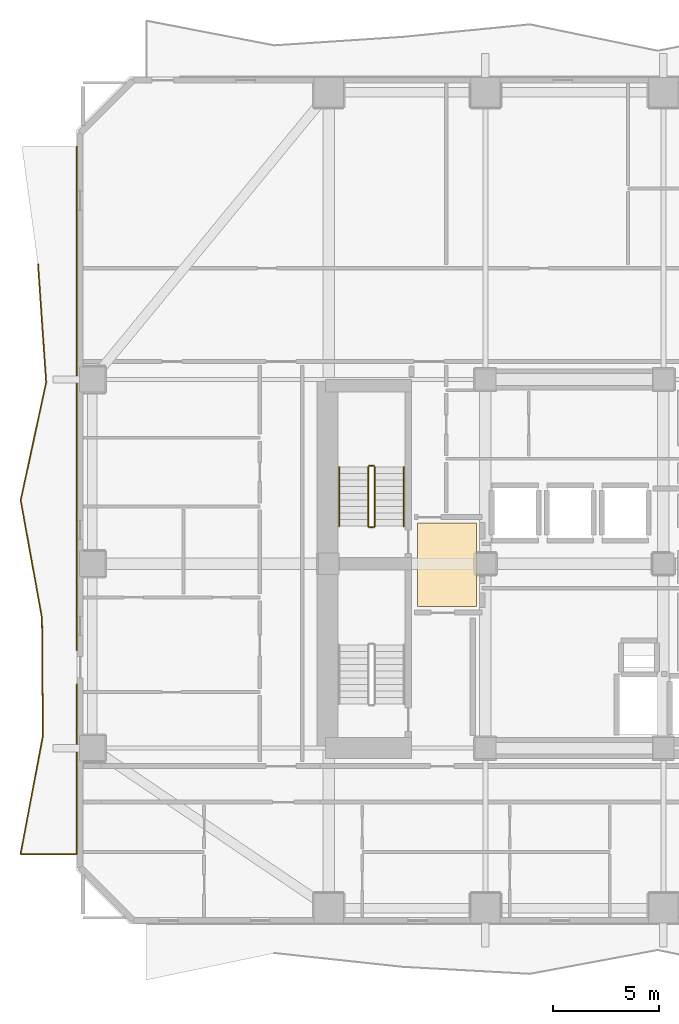
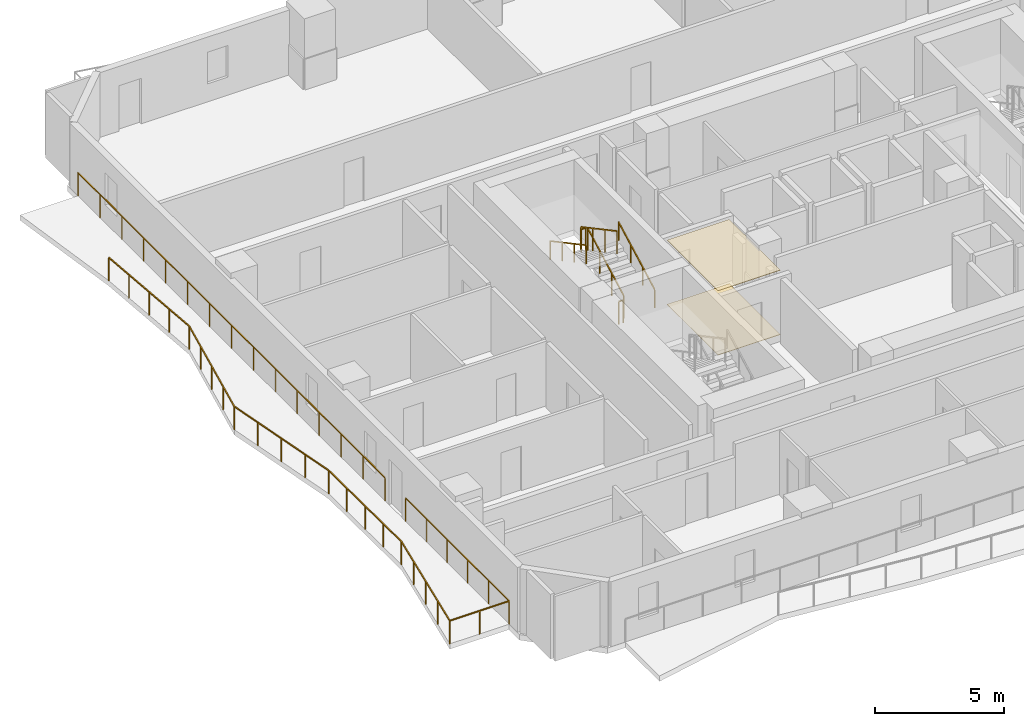
# One storey, part 8 of 10: 8 railings, 2 coverings.
"""IFC4 building model written with IfcOpenShell, lengths in metres."""

from ifc_helpers import new_model, si_unit, direction, frame, origin, origin_2d, place, context, subcontext, project, spatial, polyline, rectangle, outline, extrude, material, layer, layer_set, type_object, element, save


model = new_model("IFC4")

# Units and contexts
model_context = context("Model", 3, precision=1e-05, world=origin(), true_north=direction((0.0, 1.0)))
body_context = subcontext(model_context, "Body", "Model", "MODEL_VIEW")
ifc_project = project(units=[si_unit("LENGTHUNIT", "METRE"), si_unit("AREAUNIT", "SQUARE_METRE"), si_unit("VOLUMEUNIT", "CUBIC_METRE"), si_unit("PLANEANGLEUNIT", "RADIAN"), si_unit("MASSUNIT", "GRAM", prefix="KILO")], contexts=[model_context])

# Site, building, storey
site_placement = place(None, origin())
site = spatial("IfcSite", under=ifc_project, at=site_placement, CompositionType="ELEMENT")
building_placement = place(site_placement, origin())
building = spatial("IfcBuilding", under=site, at=building_placement, Name="Solanera Arch Residences", CompositionType="ELEMENT")
storey_placement = place(building_placement, frame((0.0, 0.0, 99.43994140625)))
storey = spatial("IfcBuildingStorey", under=building, at=storey_placement, Name="L28", CompositionType="ELEMENT", Elevation=99.43994140625)

# Railings
ifc_material_1 = material(Name="Steel S355 (ASTM A992 / A572 Grade 50)", Category="steel")
railing_type_1 = type_object("IfcRailingType", Name="Balustrade Railing BL-1100", PredefinedType="BALUSTRADE", material=ifc_material_1)
railing_1_placement = place(storey_placement, frame((-0.320068359375, 44.8330078125, 0.0)))
element("IfcRailing", 1, at=railing_1_placement, inside=storey, type_object=railing_type_1, Name="L28 W Balcony Balustrade 1", PredefinedType="BALUSTRADE", context=body_context, shape_type="SweptSolid", body=[
    extrude(rectangle(XDim=0.048095703125, YDim=0.048095703125, at=origin_2d()), frame((0.0, 0.0, 1.09619140625), z_axis=(0.068485199899, -0.997652132456, 0.0), x_axis=(0.997652132456, 0.068485199899, 0.0)), (0.0, 0.0, 1.0), 5.5791015625),
    extrude(rectangle(XDim=0.048095703125, YDim=0.048095703125, at=origin_2d()), frame((0.382080078125, -5.56591796875, 1.09619140625), z_axis=(-0.211030624616, -0.977479450154, 0.0), x_axis=(0.977479450154, -0.211030624616, 0.0)), (0.0, 0.0, 1.0), 5.6953125),
    extrude(rectangle(XDim=0.048095703125, YDim=0.048095703125, at=origin_2d()), frame((-0.81982421875, -11.133056640625, 1.09619140625), z_axis=(0.177806751501, -0.984065424207, 0.0), x_axis=(0.984065424207, 0.177806751501, 0.0)), (0.0, 0.0, 1.0), 5.656982421875),
    extrude(rectangle(XDim=0.048095703125, YDim=0.048095703125, at=origin_2d()), frame((0.18603515625, -16.699951171875, 1.09619140625), z_axis=(0.007368544196, -0.99997285191, 0.0), x_axis=(0.99997285191, 0.007368544196, 0.0)), (0.0, 0.0, 1.0), 5.56640625),
    extrude(rectangle(XDim=0.048095703125, YDim=0.048095703125, at=origin_2d()), frame((0.22705078125, -22.26611328125, 1.09619140625), z_axis=(-0.185854562907, -0.982577264874, 0.0), x_axis=(0.982577264874, -0.185854562907, 0.0)), (0.0, 0.0, 1.0), 5.66552734375),
    extrude(rectangle(XDim=0.048095703125, YDim=0.048095703125, at=origin_2d()), frame((-0.825927734375, -27.8330078125, 1.09619140625), z_axis=(1.0, 0.0, 0.0), x_axis=(0.0, 1.0, 0.0)), (0.0, 0.0, 1.0), 2.666015625),
    extrude(rectangle(XDim=0.048095703125, YDim=0.048095703125, at=origin_2d()), frame((1.840087890625, -27.8330078125, 1.09619140625), z_axis=(0.0, 1.0, 0.0), x_axis=(-1.0, 0.0, 0.0)), (0.0, 0.0, 1.0), 8.02001953125),
    extrude(rectangle(XDim=0.0419921875, YDim=0.0419921875, at=origin_2d()), origin(), (0.0, 0.0, 1.0), 1.072021484375),
    extrude(rectangle(XDim=0.0419921875, YDim=0.0419921875, at=origin_2d()), frame((0.095458984375, -1.3916015625, 0.0)), (0.0, 0.0, 1.0), 1.072021484375),
    extrude(rectangle(XDim=0.0419921875, YDim=0.0419921875, at=origin_2d()), frame((0.19091796875, -2.782958984375, 0.0)), (0.0, 0.0, 1.0), 1.072021484375),
    extrude(rectangle(XDim=0.0419921875, YDim=0.0419921875, at=origin_2d()), frame((0.28662109375, -4.17431640625, 0.0)), (0.0, 0.0, 1.0), 1.072021484375),
    extrude(rectangle(XDim=0.0419921875, YDim=0.0419921875, at=origin_2d()), frame((0.382080078125, -5.56591796875, 0.0)), (0.0, 0.0, 1.0), 1.072021484375),
    extrude(rectangle(XDim=0.0419921875, YDim=0.0419921875, at=origin_2d()), frame((0.08154296875, -6.957763671875, 0.0)), (0.0, 0.0, 1.0), 1.072021484375),
    extrude(rectangle(XDim=0.0419921875, YDim=0.0419921875, at=origin_2d()), frame((-0.21875, -8.349609375, 0.0)), (0.0, 0.0, 1.0), 1.072021484375),
    extrude(rectangle(XDim=0.0419921875, YDim=0.0419921875, at=origin_2d()), frame((-0.519287109375, -9.7412109375, 0.0)), (0.0, 0.0, 1.0), 1.072021484375),
    extrude(rectangle(XDim=0.0419921875, YDim=0.0419921875, at=origin_2d()), frame((-0.81982421875, -11.133056640625, 0.0)), (0.0, 0.0, 1.0), 1.072021484375),
    extrude(rectangle(XDim=0.0419921875, YDim=0.0419921875, at=origin_2d()), frame((-0.568359375, -12.52490234375, 0.0)), (0.0, 0.0, 1.0), 1.072021484375),
    extrude(rectangle(XDim=0.0419921875, YDim=0.0419921875, at=origin_2d()), frame((-0.31689453125, -13.91650390625, 0.0)), (0.0, 0.0, 1.0), 1.072021484375),
    extrude(rectangle(XDim=0.0419921875, YDim=0.0419921875, at=origin_2d()), frame((-0.0654296875, -15.30810546875, 0.0)), (0.0, 0.0, 1.0), 1.072021484375),
    extrude(rectangle(XDim=0.0419921875, YDim=0.0419921875, at=origin_2d()), frame((0.18603515625, -16.699951171875, 0.0)), (0.0, 0.0, 1.0), 1.072021484375),
    extrude(rectangle(XDim=0.0419921875, YDim=0.0419921875, at=origin_2d()), frame((0.1962890625, -18.091552734375, 0.0)), (0.0, 0.0, 1.0), 1.072021484375),
    extrude(rectangle(XDim=0.0419921875, YDim=0.0419921875, at=origin_2d()), frame((0.20654296875, -19.48291015625, 0.0)), (0.0, 0.0, 1.0), 1.072021484375),
    extrude(rectangle(XDim=0.0419921875, YDim=0.0419921875, at=origin_2d()), frame((0.216796875, -20.87451171875, 0.0)), (0.0, 0.0, 1.0), 1.072021484375),
    extrude(rectangle(XDim=0.0419921875, YDim=0.0419921875, at=origin_2d()), frame((0.22705078125, -22.26611328125, 0.0)), (0.0, 0.0, 1.0), 1.072021484375),
    extrude(rectangle(XDim=0.0419921875, YDim=0.0419921875, at=origin_2d()), frame((-0.0361328125, -23.65771484375, 0.0)), (0.0, 0.0, 1.0), 1.072021484375),
    extrude(rectangle(XDim=0.0419921875, YDim=0.0419921875, at=origin_2d()), frame((-0.29931640625, -25.049560546875, 0.0)), (0.0, 0.0, 1.0), 1.072021484375),
    extrude(rectangle(XDim=0.0419921875, YDim=0.0419921875, at=origin_2d()), frame((-0.562744140625, -26.44140625, 0.0)), (0.0, 0.0, 1.0), 1.072021484375),
    extrude(rectangle(XDim=0.0419921875, YDim=0.0419921875, at=origin_2d()), frame((-0.825927734375, -27.8330078125, 0.0)), (0.0, 0.0, 1.0), 1.072021484375),
    extrude(rectangle(XDim=0.0419921875, YDim=0.0419921875, at=origin_2d()), frame((0.507080078125, -27.8330078125, 0.0)), (0.0, 0.0, 1.0), 1.072021484375),
    extrude(rectangle(XDim=0.0419921875, YDim=0.0419921875, at=origin_2d()), frame((1.840087890625, -27.8330078125, 0.0)), (0.0, 0.0, 1.0), 1.072021484375),
    extrude(rectangle(XDim=0.0419921875, YDim=0.0419921875, at=origin_2d()), frame((1.840087890625, -26.22900390625, 0.0)), (0.0, 0.0, 1.0), 1.072021484375),
    extrude(rectangle(XDim=0.0419921875, YDim=0.0419921875, at=origin_2d()), frame((1.840087890625, -24.625, 0.0)), (0.0, 0.0, 1.0), 1.072021484375),
    extrude(rectangle(XDim=0.0419921875, YDim=0.0419921875, at=origin_2d()), frame((1.840087890625, -23.02099609375, 0.0)), (0.0, 0.0, 1.0), 1.072021484375),
    extrude(rectangle(XDim=0.0419921875, YDim=0.0419921875, at=origin_2d()), frame((1.840087890625, -21.4169921875, 0.0)), (0.0, 0.0, 1.0), 1.072021484375),
    extrude(rectangle(XDim=0.0419921875, YDim=0.0419921875, at=origin_2d()), frame((1.840087890625, -19.81298828125, 0.0)), (0.0, 0.0, 1.0), 1.072021484375),
])
railing_2_placement = place(storey_placement, frame((1.52001953125, 26.6201171875, 0.0)))
element("IfcRailing", 2, at=railing_2_placement, inside=storey, type_object=railing_type_1, Name="L28 W Balcony Balustrade 2", PredefinedType="BALUSTRADE", context=body_context, shape_type="SweptSolid", body=[
    extrude(rectangle(XDim=0.048095703125, YDim=0.048095703125, at=origin_2d()), frame((0.0, 0.0, 1.09619140625), z_axis=(0.0, 1.0, 0.0), x_axis=(-1.0, 0.0, 0.0)), (0.0, 0.0, 1.0), 23.77978515625),
    extrude(rectangle(XDim=0.0419921875, YDim=0.0419921875, at=origin_2d()), origin(), (0.0, 0.0, 1.0), 1.072021484375),
    extrude(rectangle(XDim=0.0419921875, YDim=0.0419921875, at=origin_2d()), frame((0.0, 1.698486328125, 0.0)), (0.0, 0.0, 1.0), 1.072021484375),
    extrude(rectangle(XDim=0.0419921875, YDim=0.0419921875, at=origin_2d()), frame((0.0, 3.397216796875, 0.0)), (0.0, 0.0, 1.0), 1.072021484375),
    extrude(rectangle(XDim=0.0419921875, YDim=0.0419921875, at=origin_2d()), frame((0.0, 5.095703125, 0.0)), (0.0, 0.0, 1.0), 1.072021484375),
    extrude(rectangle(XDim=0.0419921875, YDim=0.0419921875, at=origin_2d()), frame((0.0, 6.794189453125, 0.0)), (0.0, 0.0, 1.0), 1.072021484375),
    extrude(rectangle(XDim=0.0419921875, YDim=0.0419921875, at=origin_2d()), frame((0.0, 8.49267578125, 0.0)), (0.0, 0.0, 1.0), 1.072021484375),
    extrude(rectangle(XDim=0.0419921875, YDim=0.0419921875, at=origin_2d()), frame((0.0, 10.19140625, 0.0)), (0.0, 0.0, 1.0), 1.072021484375),
    extrude(rectangle(XDim=0.0419921875, YDim=0.0419921875, at=origin_2d()), frame((0.0, 11.889892578125, 0.0)), (0.0, 0.0, 1.0), 1.072021484375),
    extrude(rectangle(XDim=0.0419921875, YDim=0.0419921875, at=origin_2d()), frame((0.0, 13.58837890625, 0.0)), (0.0, 0.0, 1.0), 1.072021484375),
    extrude(rectangle(XDim=0.0419921875, YDim=0.0419921875, at=origin_2d()), frame((0.0, 15.287109375, 0.0)), (0.0, 0.0, 1.0), 1.072021484375),
    extrude(rectangle(XDim=0.0419921875, YDim=0.0419921875, at=origin_2d()), frame((0.0, 16.985595703125, 0.0)), (0.0, 0.0, 1.0), 1.072021484375),
    extrude(rectangle(XDim=0.0419921875, YDim=0.0419921875, at=origin_2d()), frame((0.0, 18.68408203125, 0.0)), (0.0, 0.0, 1.0), 1.072021484375),
    extrude(rectangle(XDim=0.0419921875, YDim=0.0419921875, at=origin_2d()), frame((0.0, 20.382568359375, 0.0)), (0.0, 0.0, 1.0), 1.072021484375),
    extrude(rectangle(XDim=0.0419921875, YDim=0.0419921875, at=origin_2d()), frame((0.0, 22.081298828125, 0.0)), (0.0, 0.0, 1.0), 1.072021484375),
    extrude(rectangle(XDim=0.0419921875, YDim=0.0419921875, at=origin_2d()), frame((0.0, 23.77978515625, 0.0)), (0.0, 0.0, 1.0), 1.072021484375),
])

# Covering
ifc_material_2 = material(Name="Porcelain Acoustic Floor Tile", Category="ceramic")
ifc_layer_1 = layer(ifc_material_2, 0.02001953125)
ifc_layer_set_1 = layer_set([ifc_layer_1], Name="Porcelain Acoustic Floor Tile")
covering_type_1 = type_object("IfcCoveringType", Name="Porcelain Acoustic Floor Finish FLR-20", PredefinedType="FLOORING", material=ifc_layer_set_1)
covering_1_placement = place(storey_placement, origin())
element("IfcCovering", 3, at=covering_1_placement, inside=storey, type_object=covering_type_1, Name="L28-FFL-W Porcelain Floor Finish", PredefinedType="FLOORING", context=body_context, shape_type="SweptSolid", body=[
    extrude(outline(polyline([(20.375, 28.675048828125), (17.594970703125, 28.675048828125), (17.594970703125, 32.625), (20.375, 32.625), (20.375, 28.675048828125)])), origin(), (0.0, 0.0, 1.0), 0.02001953125),
])

# Railings
ifc_material_3 = material(Name="Steel S355 (ASTM A992 / A572 Grade 50)", Category="steel")
railing_type_2 = type_object("IfcRailingType", Name="Stair Guardrail GR-1100", PredefinedType="GUARDRAIL", material=ifc_material_3)
railing_3_placement = place(storey_placement, frame((15.570068359375, 32.47998046875, 0.151123046875)))
element("IfcRailing", 4, at=railing_3_placement, inside=storey, type_object=railing_type_2, Name="L28 ST-T1 stair guard 1", PredefinedType="GUARDRAIL", context=body_context, shape_type="SweptSolid", body=[
    extrude(rectangle(XDim=0.048095703125, YDim=0.048095703125, at=origin_2d()), frame((0.0, 0.0, 1.076171875), z_axis=(0.0, 0.881580869306, 0.472033018838), x_axis=(-1.0, 0.0, 0.0)), (0.0, 0.0, 1.0), 3.164794921875),
    extrude(rectangle(XDim=0.0419921875, YDim=0.0419921875, at=origin_2d()), origin(), (0.0, 0.0, 1.0), 1.052001953125),
    extrude(rectangle(XDim=0.0419921875, YDim=0.0419921875, at=origin_2d()), frame((0.0, 0.929931640625, 0.498046875)), (0.0, 0.0, 1.0), 1.052001953125),
    extrude(rectangle(XDim=0.0419921875, YDim=0.0419921875, at=origin_2d()), frame((0.0, 1.860107421875, 0.995849609375)), (0.0, 0.0, 1.0), 1.052001953125),
    extrude(rectangle(XDim=0.0419921875, YDim=0.0419921875, at=origin_2d()), frame((0.0, 2.7900390625, 1.493896484375)), (0.0, 0.0, 1.0), 1.052001953125),
])
railing_4_placement = place(storey_placement, frame((15.52001953125, 35.320068359375, 1.64501953125)))
element("IfcRailing", 5, at=railing_4_placement, inside=storey, type_object=railing_type_2, Name="L28 ST-T1 stair guard 2", PredefinedType="GUARDRAIL", context=body_context, shape_type="SweptSolid", body=[
    extrude(rectangle(XDim=0.048095703125, YDim=0.048095703125, at=origin_2d()), frame((0.0, 0.0, 1.076171875), z_axis=(-1.0, 0.0, 0.0), x_axis=(0.0, -1.0, 0.0)), (0.0, 0.0, 1.0), 0.199951171875),
    extrude(rectangle(XDim=0.0419921875, YDim=0.0419921875, at=origin_2d()), origin(), (0.0, 0.0, 1.0), 1.052001953125),
    extrude(rectangle(XDim=0.0419921875, YDim=0.0419921875, at=origin_2d()), frame((-0.199951171875, 0.0, 0.0)), (0.0, 0.0, 1.0), 1.052001953125),
])
railing_5_placement = place(storey_placement, frame((15.27001953125, 35.27001953125, 1.81103515625)))
element("IfcRailing", 6, at=railing_5_placement, inside=storey, type_object=railing_type_2, Name="L28 ST-T1 stair guard 3", PredefinedType="GUARDRAIL", context=body_context, shape_type="SweptSolid", body=[
    extrude(rectangle(XDim=0.048095703125, YDim=0.048095703125, at=origin_2d()), frame((0.0, 0.0, 1.076171875), z_axis=(0.0, -0.881548766853, 0.472092969298), x_axis=(1.0, 0.0, 0.0)), (0.0, 0.0, 1.0), 3.1650390625),
    extrude(rectangle(XDim=0.0419921875, YDim=0.0419921875, at=origin_2d()), origin(), (0.0, 0.0, 1.0), 1.052001953125),
    extrude(rectangle(XDim=0.0419921875, YDim=0.0419921875, at=origin_2d()), frame((0.0, -0.929931640625, 0.498046875)), (0.0, 0.0, 1.0), 1.052001953125),
    extrude(rectangle(XDim=0.0419921875, YDim=0.0419921875, at=origin_2d()), frame((0.0, -1.860107421875, 0.99609375)), (0.0, 0.0, 1.0), 1.052001953125),
    extrude(rectangle(XDim=0.0419921875, YDim=0.0419921875, at=origin_2d()), frame((0.0, -2.7900390625, 1.494140625)), (0.0, 0.0, 1.0), 1.052001953125),
])
railing_6_placement = place(storey_placement, frame((15.52001953125, 32.429931640625, -0.014892578125)))
element("IfcRailing", 7, at=railing_6_placement, inside=storey, type_object=railing_type_2, Name="L28 ST-T1 stair guard 4", PredefinedType="GUARDRAIL", context=body_context, shape_type="SweptSolid", body=[
    extrude(rectangle(XDim=0.048095703125, YDim=0.048095703125, at=origin_2d()), frame((0.0, 0.0, 1.076171875), z_axis=(-1.0, 0.0, 0.0), x_axis=(0.0, -1.0, 0.0)), (0.0, 0.0, 1.0), 0.199951171875),
    extrude(rectangle(XDim=0.0419921875, YDim=0.0419921875, at=origin_2d()), origin(), (0.0, 0.0, 1.0), 1.052001953125),
    extrude(rectangle(XDim=0.0419921875, YDim=0.0419921875, at=origin_2d()), frame((-0.199951171875, 0.0, 0.0)), (0.0, 0.0, 1.0), 1.052001953125),
])
ifc_material_4 = material(Name="Steel S355 (ASTM A992 / A572 Grade 50)", Category="steel")
railing_type_3 = type_object("IfcRailingType", Name="Stair Wall Handrail HR-920", PredefinedType="HANDRAIL", material=ifc_material_4)
railing_7_placement = place(storey_placement, frame((16.949951171875, 32.47998046875, 0.166015625)))
element("IfcRailing", 8, at=railing_7_placement, inside=storey, type_object=railing_type_3, Name="L28 ST-T1 stair handrail 1", PredefinedType="HANDRAIL", context=body_context, shape_type="SweptSolid", body=[
    extrude(rectangle(XDim=0.048095703125, YDim=0.048095703125, at=origin_2d()), frame((0.0, 0.0, 0.8759765625), z_axis=(0.0, 0.881548766853, 0.472092969298), x_axis=(-1.0, 0.0, 0.0)), (0.0, 0.0, 1.0), 3.1650390625),
    extrude(rectangle(XDim=0.0419921875, YDim=0.0419921875, at=origin_2d()), origin(), (0.0, 0.0, 1.0), 0.851806640625),
    extrude(rectangle(XDim=0.0419921875, YDim=0.0419921875, at=origin_2d()), frame((0.0, 0.929931640625, 0.498046875)), (0.0, 0.0, 1.0), 0.851806640625),
    extrude(rectangle(XDim=0.0419921875, YDim=0.0419921875, at=origin_2d()), frame((0.0, 1.860107421875, 0.99609375)), (0.0, 0.0, 1.0), 0.851806640625),
    extrude(rectangle(XDim=0.0419921875, YDim=0.0419921875, at=origin_2d()), frame((0.0, 2.7900390625, 1.494140625)), (0.0, 0.0, 1.0), 0.851806640625),
])
railing_8_placement = place(storey_placement, frame((13.889892578125, 35.27001953125, 1.826171875)))
element("IfcRailing", 9, at=railing_8_placement, inside=storey, type_object=railing_type_3, Name="L28 ST-T1 stair handrail 2", PredefinedType="HANDRAIL", context=body_context, shape_type="SweptSolid", body=[
    extrude(rectangle(XDim=0.048095703125, YDim=0.048095703125, at=origin_2d()), frame((0.0, 0.0, 0.8759765625), z_axis=(0.0, -0.881580869306, 0.472033018838), x_axis=(1.0, 0.0, 0.0)), (0.0, 0.0, 1.0), 3.164794921875),
    extrude(rectangle(XDim=0.0419921875, YDim=0.0419921875, at=origin_2d()), origin(), (0.0, 0.0, 1.0), 0.851806640625),
    extrude(rectangle(XDim=0.0419921875, YDim=0.0419921875, at=origin_2d()), frame((0.0, -0.929931640625, 0.498046875)), (0.0, 0.0, 1.0), 0.851806640625),
    extrude(rectangle(XDim=0.0419921875, YDim=0.0419921875, at=origin_2d()), frame((0.0, -1.860107421875, 0.995849609375)), (0.0, 0.0, 1.0), 0.851806640625),
    extrude(rectangle(XDim=0.0419921875, YDim=0.0419921875, at=origin_2d()), frame((0.0, -2.7900390625, 1.493896484375)), (0.0, 0.0, 1.0), 0.851806640625),
])

# Covering
ifc_material_5 = material(Name="Mineral Fibre Acoustic Ceiling Board", Category="gypsum")
ifc_layer_2 = layer(ifc_material_5, 0.02490234375)
ifc_layer_set_2 = layer_set([ifc_layer_2], Name="Mineral Fibre Acoustic Ceiling Board")
covering_type_2 = type_object("IfcCoveringType", Name="Suspended Acoustic Ceiling Board CLG-25", PredefinedType="CEILING", material=ifc_layer_set_2)
covering_2_placement = place(storey_placement, frame((0.0, 0.0, 3.03515625)))
element("IfcCovering", 10, at=covering_2_placement, inside=storey, type_object=covering_type_2, Name="L28-FFL-W Acoustic Ceiling", PredefinedType="CEILING", context=body_context, shape_type="SweptSolid", body=[
    extrude(outline(polyline([(20.375, 28.675048828125), (17.594970703125, 28.675048828125), (17.594970703125, 32.625), (20.375, 32.625), (20.375, 28.675048828125)])), origin(), (0.0, 0.0, 1.0), 0.02490234375),
])

save(model, "model.ifc")
